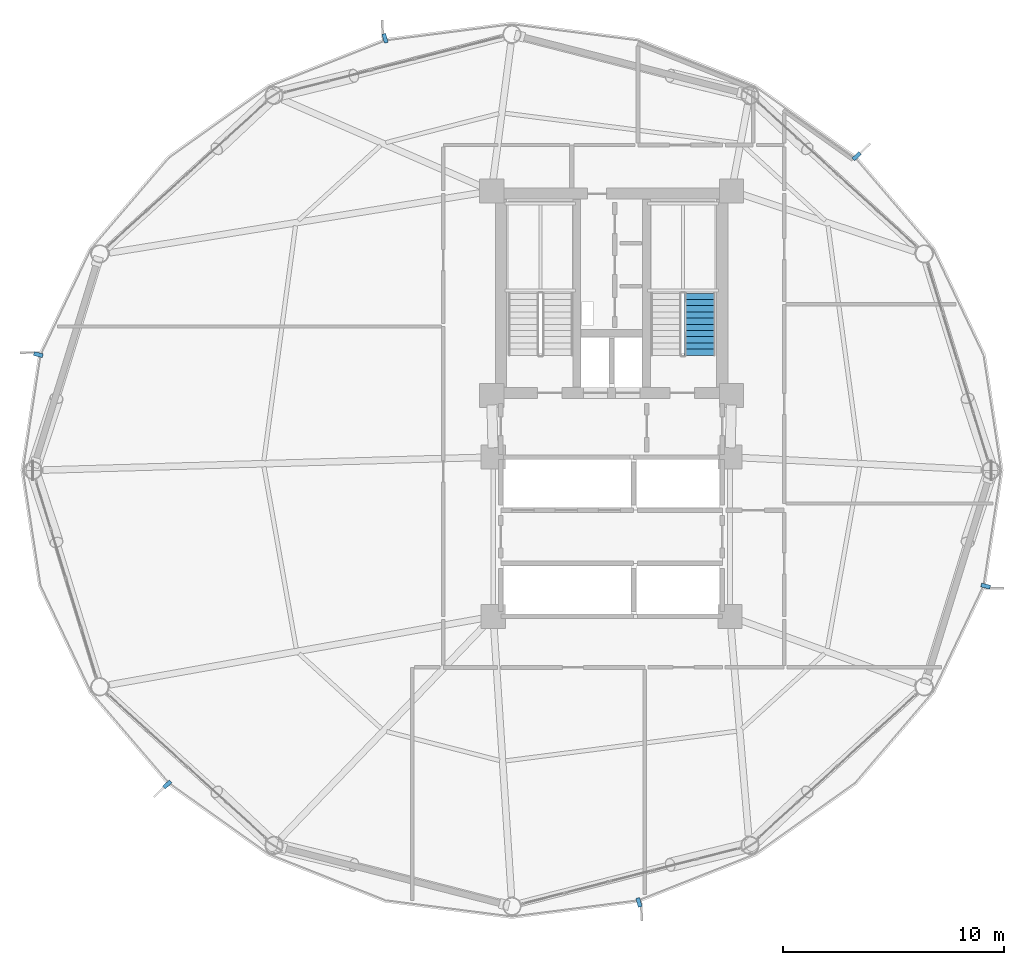
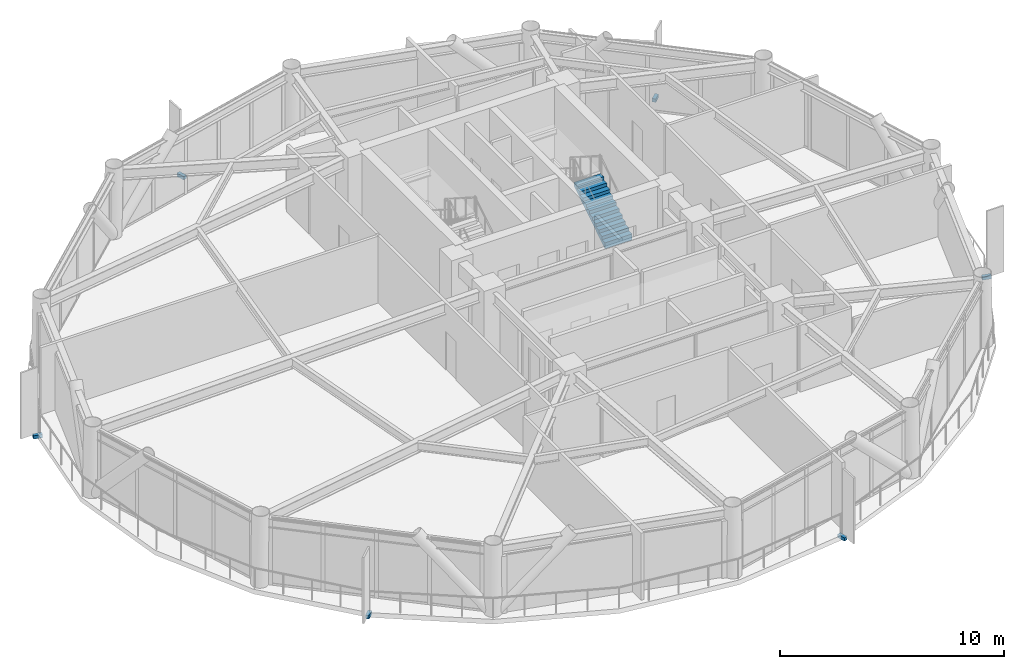
# One storey, part 22 of 25: 6 discrete accessories, 1 stair flight, 1 element without a shape of its own.
"""IFC4 building model written with IfcOpenShell, lengths in metres."""

from ifc_helpers import new_model, si_unit, direction, frame, origin, origin_2d, place, context, subcontext, project, spatial, polyline, rectangle, outline, extrude, source, transform, mapped, material, type_object, type_shapes, element, aggregate, save


model = new_model("IFC4")

# Units and contexts
model_context = context("Model", 3, precision=1e-05, world=origin(), true_north=direction((0.0, 1.0)))
body_context = subcontext(model_context, "Body", "Model", "MODEL_VIEW")
ifc_project = project(units=[si_unit("LENGTHUNIT", "METRE"), si_unit("AREAUNIT", "SQUARE_METRE"), si_unit("VOLUMEUNIT", "CUBIC_METRE"), si_unit("PLANEANGLEUNIT", "RADIAN"), si_unit("MASSUNIT", "GRAM", prefix="KILO")], contexts=[model_context])

# Site, building, storey
site_placement = place(None, origin())
site = spatial("IfcSite", under=ifc_project, at=site_placement, CompositionType="ELEMENT")
building_placement = place(site_placement, origin())
building = spatial("IfcBuilding", under=site, at=building_placement, Name="Varnakorn Sky Granary", CompositionType="ELEMENT")
storey_placement = place(building_placement, frame((0.0, 0.0, 99.300048828125)))
storey = spatial("IfcBuildingStorey", under=building, at=storey_placement, Name="L24", CompositionType="ELEMENT", Elevation=99.300048828125)

# Stair, stair flight
ifc_material_1 = material(Name="Concrete C40/50", Category="concrete")
stair_type = type_object("IfcStairType", Name="ST-MAIN-ASSEMBLY", PredefinedType="HALF_TURN_STAIR", material=ifc_material_1)
stair_placement = place(storey_placement, origin())
stair = element("IfcStair", 1, at=stair_placement, inside=storey, type_object=stair_type, Name="L24 Protected Exit Stair ST-2", PredefinedType="HALF_TURN_STAIR")
stair_flight_type = type_object("IfcStairFlightType", Name="ST-MAIN-FLIGHT", PredefinedType="STRAIGHT", material=ifc_material_1)
stair_flight_placement = place(storey_placement, frame((6.989990234375, 5.199951171875, 0.0), z_axis=(0.0, 0.0, 1.0), x_axis=(0.0, 1.0, 0.0)))
stair_flight = element("IfcStairFlight", 2, at=stair_flight_placement, type_object=stair_flight_type, Name="ST-2 flight 1", NumberOfRisers=11, NumberOfTreads=10, PredefinedType="STRAIGHT", RiserHeight=0.177272727, TreadLength=0.28, context=body_context, shape_type="SweptSolid", body=[
    extrude(outline(polyline([(0.0, -0.14990234375), (0.0, 0.0), (0.0, 0.17724609375), (0.280029296875, 0.17724609375), (0.280029296875, 0.3544921875), (0.56005859375, 0.3544921875), (0.56005859375, 0.53173828125), (0.840087890625, 0.53173828125), (0.840087890625, 0.708984375), (1.1201171875, 0.708984375), (1.1201171875, 0.886474609375), (1.39990234375, 0.886474609375), (1.39990234375, 1.063720703125), (1.679931640625, 1.063720703125), (1.679931640625, 1.240966796875), (1.9599609375, 1.240966796875), (1.9599609375, 1.418212890625), (2.239990234375, 1.418212890625), (2.239990234375, 1.595458984375), (2.52001953125, 1.595458984375), (2.52001953125, 1.772705078125), (2.800048828125, 1.772705078125), (2.800048828125, 1.949951171875), (2.800048828125, 1.59521484375), (0.050048828125, -0.14990234375), (0.0, -0.14990234375)])), frame((0.0, 0.68994140625, 0.0), z_axis=(0.0, -1.0, 0.0), x_axis=(1.0, 0.0, 0.0)), (0.0, 0.0, 1.0), 1.3798828125),
])
aggregate(stair, [stair_flight])

# Discrete accessories
ifc_material_2 = material(Name="Steel S355JR", Category="steel")
discrete_accessory_type = type_object("IfcDiscreteAccessoryType", Name="AC-BRK-01", PredefinedType="BRACKET", material=ifc_material_2)
shared_shape = source(origin(), body_context, "Body", "SweptSolid", [
    extrude(rectangle(XDim=0.179931640625, YDim=0.419921875, at=origin_2d()), origin(), (0.0, 0.0, 1.0), 0.179931640625),
])
type_shapes(discrete_accessory_type, [shared_shape])
for number, where, z_axis, x_axis, name in (
    (3, (14.07421875, 14.1923828125, -0.2001953125), (0.0, 0.0, 1.0), (-0.673557744568, 0.739134605287, 0.0), "Facade Solar-Screen Outrigger Bracket L24-02"),
    (4, (-7.23681640625, 19.5224609375, -0.2001953125), (0.0, 0.0, 1.0), (-0.959431836311, -0.281940687863, 0.0), "Facade Solar-Screen Outrigger Bracket L24-04"),
    (5, (-22.90087890625, 5.228759765625, -0.2001953125), (0.0, 0.0, 1.0), (-0.237340922435, -0.971426418489, 0.0), "Facade Solar-Screen Outrigger Bracket L24-06"),
    (6, (-17.07421875, -14.1923828125, -0.2001953125), (0.0, 0.0, 1.0), (0.673557744568, -0.739134605287, 0.0), "Facade Solar-Screen Outrigger Bracket L24-08"),
    (7, (4.23681640625, -19.5224609375, -0.2001953125), (0.0, 0.0, 1.0), (0.959431836311, 0.281940687863, 0.0), "Facade Solar-Screen Outrigger Bracket L24-10"),
    (8, (19.90087890625, -5.228759765625, -0.2001953125), (0.0, 0.0, 1.0), (0.237340922435, 0.971426418489, 0.0), "Facade Solar-Screen Outrigger Bracket L24-12"),
):
    element("IfcDiscreteAccessory", number, at=place(storey_placement, frame(where, z_axis=z_axis, x_axis=x_axis)), inside=storey, type_object=discrete_accessory_type, Name=name, PredefinedType="BRACKET", context=body_context, shape_type="MappedRepresentation", body=[
        mapped(shared_shape, transform((0.0, 0.0, 0.0), x_axis=(1.0, 0.0, 0.0), y_axis=(0.0, 1.0, 0.0), z_axis=(0.0, 0.0, 1.0), scale=1.0)),
    ])

save(model, "model.ifc")
